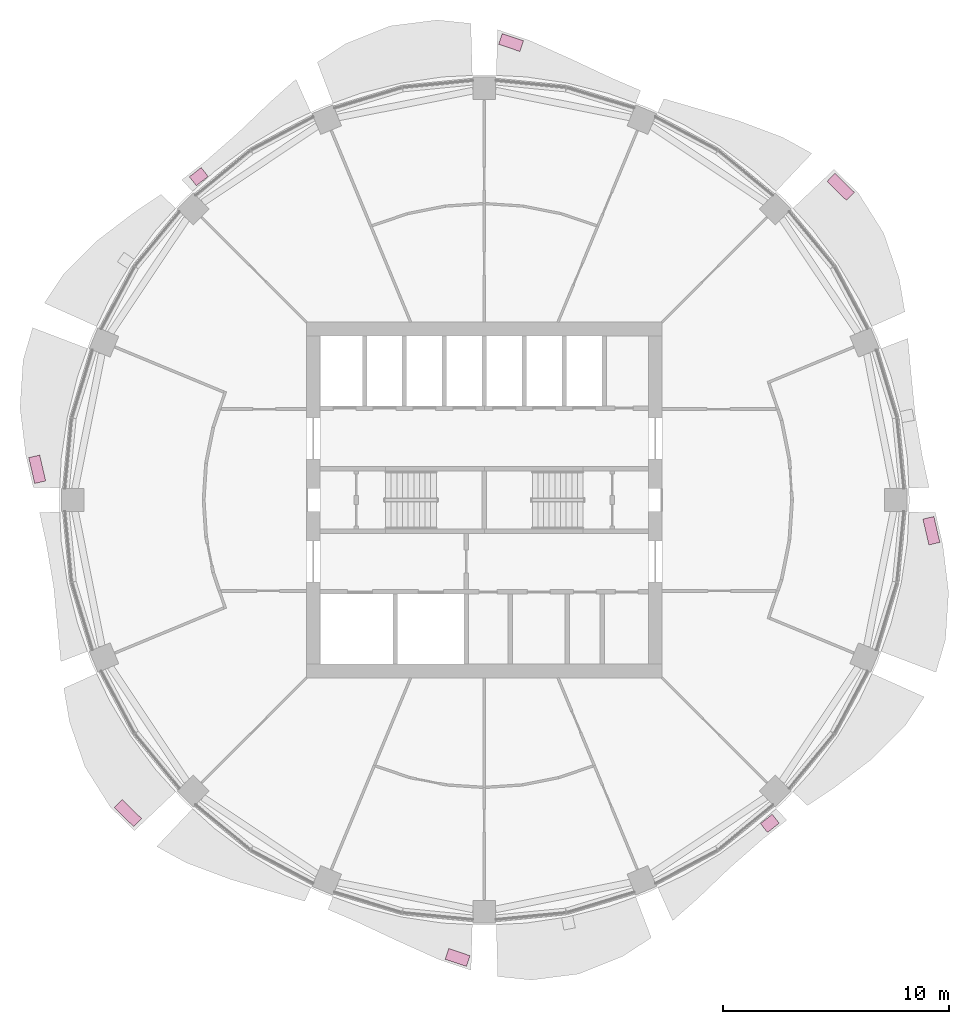
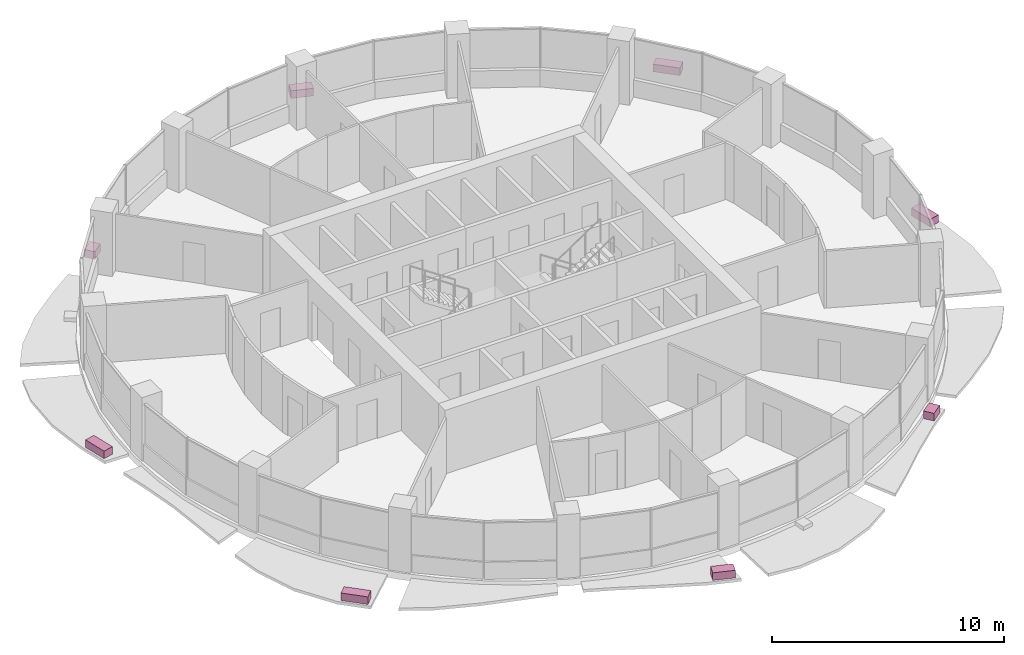
# One storey, part 15 of 15: 8 furniture elements.
"""IFC4 building model written with IfcOpenShell, lengths in metres."""

from ifc_helpers import new_model, si_unit, direction, frame, origin, origin_2d, place, context, subcontext, project, spatial, rectangle, extrude, material, type_object, element, save


model = new_model("IFC4")

# Units and contexts
model_context = context("Model", 3, precision=1e-05, world=origin(), true_north=direction((0.0, 1.0)))
body_context = subcontext(model_context, "Body", "Model", "MODEL_VIEW")
ifc_project = project(units=[si_unit("LENGTHUNIT", "METRE"), si_unit("AREAUNIT", "SQUARE_METRE"), si_unit("VOLUMEUNIT", "CUBIC_METRE"), si_unit("PLANEANGLEUNIT", "RADIAN"), si_unit("MASSUNIT", "GRAM", prefix="KILO")], contexts=[model_context])

# Site, building, storey
site_placement = place(None, origin())
site = spatial("IfcSite", under=ifc_project, at=site_placement, CompositionType="ELEMENT")
building_placement = place(site_placement, origin())
building = spatial("IfcBuilding", under=site, at=building_placement, Name="Polderwave Tower", CompositionType="ELEMENT")
storey_placement = place(building_placement, frame((0.0, 0.0, 151.10009765625)))
storey = spatial("IfcBuildingStorey", under=building, at=storey_placement, Name="L40", CompositionType="ELEMENT", Elevation=151.10009765625)

# Furniture
ifc_material = material(Name="Terracotta", Category="masonry")
furniture_type = type_object("IfcFurnitureType", Name="Terracotta planting trough", AssemblyPlace="NOTDEFINED", PredefinedType="USERDEFINED", material=ifc_material)
furniture_1_placement = place(storey_placement, frame((15.783935546875, 13.867431640625, -0.199951171875), z_axis=(0.0, 0.0, 1.0), x_axis=(-0.716344567682, 0.697746702144, 0.0)))
element("IfcFurniture", 1, at=furniture_1_placement, inside=storey, type_object=furniture_type, Name="Planting trough L40 2", ObjectType="PLANTER", PredefinedType="USERDEFINED", context=body_context, shape_type="SweptSolid", body=[
    extrude(rectangle(XDim=1.19970703125, YDim=0.5, at=origin_2d()), origin(), (0.0, 0.0, 1.0), 0.39990234375),
])
furniture_2_placement = place(storey_placement, frame((1.184326171875, 20.260498046875, -0.199951171875), z_axis=(0.0, 0.0, 1.0), x_axis=(-0.947704371683, 0.319149532184, 0.0)))
element("IfcFurniture", 2, at=furniture_2_placement, inside=storey, type_object=furniture_type, Name="Planting trough L40 4", ObjectType="PLANTER", PredefinedType="USERDEFINED", context=body_context, shape_type="SweptSolid", body=[
    extrude(rectangle(XDim=0.995361328125, YDim=0.5, at=origin_2d()), origin(), (0.0, 0.0, 1.0), 0.39990234375),
])
furniture_3_placement = place(storey_placement, frame((-12.64697265625, 14.3232421875, -0.199951171875), z_axis=(0.0, 0.0, 1.0), x_axis=(-0.786565493721, -0.617506861571, 0.0)))
element("IfcFurniture", 3, at=furniture_3_placement, inside=storey, type_object=furniture_type, Name="Planting trough L40 6", ObjectType="PLANTER", PredefinedType="USERDEFINED", context=body_context, shape_type="SweptSolid", body=[
    extrude(rectangle(XDim=0.664306640625, YDim=0.5, at=origin_2d()), origin(), (0.0, 0.0, 1.0), 0.39990234375),
])
furniture_4_placement = place(storey_placement, frame((-19.8017578125, 1.361083984375, -0.199951171875), z_axis=(0.0, 0.0, 1.0), x_axis=(0.226321512154, -0.974052654191, 0.0)))
element("IfcFurniture", 4, at=furniture_4_placement, inside=storey, type_object=furniture_type, Name="Planting trough L40 8", ObjectType="PLANTER", PredefinedType="USERDEFINED", context=body_context, shape_type="SweptSolid", body=[
    extrude(rectangle(XDim=1.17529296875, YDim=0.5, at=origin_2d()), origin(), (0.0, 0.0, 1.0), 0.39990234375),
])
furniture_5_placement = place(storey_placement, frame((-15.783935546875, -13.867431640625, -0.199951171875), z_axis=(0.0, 0.0, 1.0), x_axis=(0.716344567682, -0.697746702144, 0.0)))
element("IfcFurniture", 5, at=furniture_5_placement, inside=storey, type_object=furniture_type, Name="Planting trough L40 10", ObjectType="PLANTER", PredefinedType="USERDEFINED", context=body_context, shape_type="SweptSolid", body=[
    extrude(rectangle(XDim=1.19970703125, YDim=0.5, at=origin_2d()), origin(), (0.0, 0.0, 1.0), 0.39990234375),
])
furniture_6_placement = place(storey_placement, frame((-1.184326171875, -20.260498046875, -0.199951171875), z_axis=(0.0, 0.0, 1.0), x_axis=(0.947704371683, -0.319149532184, 0.0)))
element("IfcFurniture", 6, at=furniture_6_placement, inside=storey, type_object=furniture_type, Name="Planting trough L40 12", ObjectType="PLANTER", PredefinedType="USERDEFINED", context=body_context, shape_type="SweptSolid", body=[
    extrude(rectangle(XDim=0.995361328125, YDim=0.5, at=origin_2d()), origin(), (0.0, 0.0, 1.0), 0.39990234375),
])
furniture_7_placement = place(storey_placement, frame((12.64697265625, -14.3232421875, -0.199951171875), z_axis=(0.0, 0.0, 1.0), x_axis=(0.786565493721, 0.617506861571, 0.0)))
element("IfcFurniture", 7, at=furniture_7_placement, inside=storey, type_object=furniture_type, Name="Planting trough L40 14", ObjectType="PLANTER", PredefinedType="USERDEFINED", context=body_context, shape_type="SweptSolid", body=[
    extrude(rectangle(XDim=0.664306640625, YDim=0.5, at=origin_2d()), origin(), (0.0, 0.0, 1.0), 0.39990234375),
])
furniture_8_placement = place(storey_placement, frame((19.8017578125, -1.361083984375, -0.199951171875), z_axis=(0.0, 0.0, 1.0), x_axis=(-0.226321512154, 0.974052654191, 0.0)))
element("IfcFurniture", 8, at=furniture_8_placement, inside=storey, type_object=furniture_type, Name="Planting trough L40 16", ObjectType="PLANTER", PredefinedType="USERDEFINED", context=body_context, shape_type="SweptSolid", body=[
    extrude(rectangle(XDim=1.17529296875, YDim=0.5, at=origin_2d()), origin(), (0.0, 0.0, 1.0), 0.39990234375),
])

save(model, "model.ifc")
